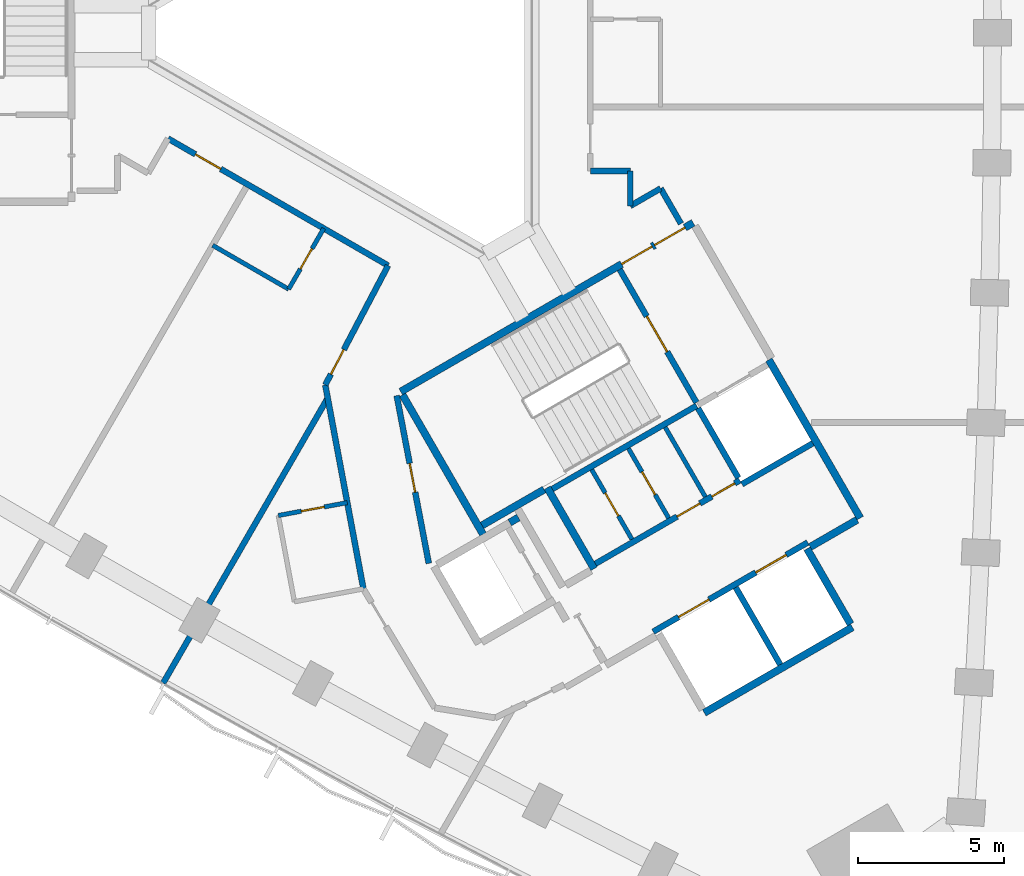
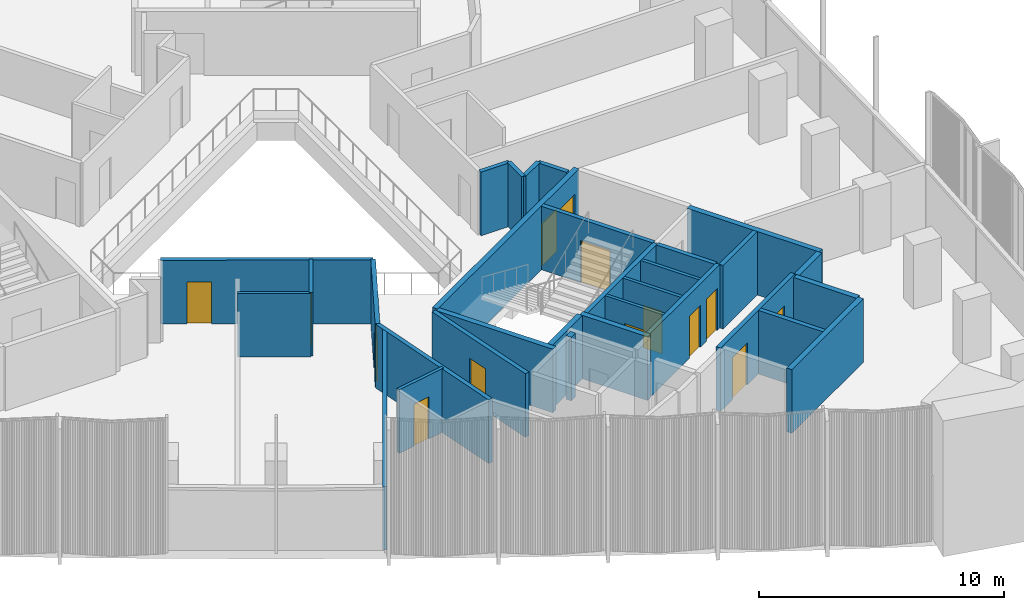
# One storey, part 8 of 15: 31 walls, 14 doors, 14 openings.
"""IFC4 building model written with IfcOpenShell, lengths in metres."""

from ifc_helpers import new_model, si_unit, direction, frame, frame_2d, origin, place, context, subcontext, project, spatial, rectangle, extrude, material, layer, layer_set, type_object, element, fill, save


model = new_model("IFC4")

# Units and contexts
model_context = context("Model", 3, precision=1e-05, world=origin(), true_north=direction((0.0, 1.0)))
body_context = subcontext(model_context, "Body", "Model", "MODEL_VIEW")
ifc_project = project(units=[si_unit("LENGTHUNIT", "METRE"), si_unit("AREAUNIT", "SQUARE_METRE"), si_unit("VOLUMEUNIT", "CUBIC_METRE"), si_unit("PLANEANGLEUNIT", "RADIAN"), si_unit("MASSUNIT", "GRAM", prefix="KILO")], contexts=[model_context])

# Site, building, storey
site_placement = place(None, origin())
site = spatial("IfcSite", under=ifc_project, at=site_placement, CompositionType="ELEMENT")
building_placement = place(site_placement, origin())
building = spatial("IfcBuilding", under=site, at=building_placement, Name="Tamra Quay Hotel Tower", CompositionType="ELEMENT")
storey_placement = place(building_placement, frame((0.0, 0.0, 90.199951171875)))
storey = spatial("IfcBuildingStorey", under=building, at=storey_placement, Name="L21", CompositionType="ELEMENT", Elevation=90.199951171875)

# Wall, openings, doors
ifc_material_1 = material(Name="Concrete M70", Category="concrete")
ifc_layer_1 = layer(ifc_material_1, 0.199951171875)
ifc_layer_set_1 = layer_set([ifc_layer_1], Name="Concrete M70 core wall 200")
wall_type_1 = type_object("IfcWallType", Name="Concrete M70 core wall 200", PredefinedType="SHEAR", material=ifc_layer_set_1)
wall_1_placement = place(storey_placement, frame((9.052490234375, -20.479736328125, 0.0), z_axis=(0.0, 0.0, 1.0), x_axis=(0.866030299012, 0.499991521122, 0.0)))
wall_1 = element("IfcWall", 1, at=wall_1_placement, inside=storey, type_object=wall_type_1, Name="CW2", PredefinedType="SHEAR", context=body_context, shape_type="SweptSolid", body=[
    extrude(rectangle(XDim=6.10009765625, YDim=0.199951171875, at=frame_2d((3.050048828125, 0.0))), origin(), (0.0, 0.0, 1.0), 3.175048828125),
])
opening_1_placement = place(wall_1_placement, frame((1.0, 0.0, 0.0)))
opening_1 = element("IfcOpeningElement", 2, at=opening_1_placement, cuts=wall_1, Name="Opening LD", PredefinedType="OPENING", context=body_context, shape_type="SweptSolid", body=[
    extrude(rectangle(XDim=1.199951171875, YDim=2.10009765625, at=frame_2d((0.60009765625, 1.050048828125))), frame((0.0, 0.10986328125, 0.0), z_axis=(0.0, -1.0, 0.0), x_axis=(1.0, 0.0, 0.0)), (0.0, 0.0, 1.0), 0.219970703125),
])
opening_2_placement = place(wall_1_placement, frame((4.05029296875, 0.0, 0.0)))
opening_2 = element("IfcOpeningElement", 3, at=opening_2_placement, cuts=wall_1, Name="Opening LD", PredefinedType="OPENING", context=body_context, shape_type="SweptSolid", body=[
    extrude(rectangle(XDim=1.199951171875, YDim=2.10009765625, at=frame_2d((0.60009765625, 1.050048828125))), frame((0.0, 0.10986328125, 0.0), z_axis=(0.0, -1.0, 0.0), x_axis=(1.0, 0.0, 0.0)), (0.0, 0.0, 1.0), 0.219970703125),
])
ifc_material_2 = material(Name="Landing door LD 1200 double door sliding")
door_type_1 = type_object("IfcDoorType", Name="Landing door LD 1200 double door sliding", OperationType="DOUBLE_DOOR_SLIDING", PredefinedType="DOOR", material=ifc_material_2)
door_1_placement = place(opening_1_placement, origin())
door_1 = element("IfcDoor", 4, at=door_1_placement, inside=storey, type_object=door_type_1, Name="LD", OperationType="DOUBLE_DOOR_SLIDING", OverallHeight=2.10009765625, OverallWidth=1.199951171875, PredefinedType="DOOR", context=body_context, shape_type="SweptSolid", body=[
    extrude(rectangle(XDim=1.199951171875, YDim=2.10009765625, at=frame_2d((0.60009765625, 1.050048828125))), frame((0.0, 0.02490234375, 0.0), z_axis=(0.0, -1.0, 0.0), x_axis=(1.0, 0.0, 0.0)), (0.0, 0.0, 1.0), 0.050048828125),
])
fill(opening_1, door_1)
door_2_placement = place(opening_2_placement, origin())
door_2 = element("IfcDoor", 5, at=door_2_placement, inside=storey, type_object=door_type_1, Name="LD", OperationType="DOUBLE_DOOR_SLIDING", OverallHeight=2.10009765625, OverallWidth=1.199951171875, PredefinedType="DOOR", context=body_context, shape_type="SweptSolid", body=[
    extrude(rectangle(XDim=1.199951171875, YDim=2.10009765625, at=frame_2d((0.60009765625, 1.050048828125))), frame((0.0, 0.02490234375, 0.0), z_axis=(0.0, -1.0, 0.0), x_axis=(1.0, 0.0, 0.0)), (0.0, 0.0, 1.0), 0.050048828125),
])
fill(opening_2, door_2)

# Wall
wall_2_placement = place(storey_placement, frame((10.537841796875, -12.751953125, 0.0), z_axis=(0.0, 0.0, 1.0), x_axis=(-0.866038630372, -0.499977090179, 0.0)))
element("IfcWall", 6, at=wall_2_placement, inside=storey, type_object=wall_type_1, Name="CW2", PredefinedType="SHEAR", context=body_context, shape_type="SweptSolid", body=[
    extrude(rectangle(XDim=5.698974609375, YDim=0.199951171875, at=frame_2d((2.849609375, 0.0))), origin(), (0.0, 0.0, 1.0), 3.175048828125),
])

# Wall, openings, doors
wall_3_placement = place(storey_placement, frame((7.0771484375, -18.156005859375, 0.0), z_axis=(0.0, 0.0, 1.0), x_axis=(0.866038630372, 0.499977090179, 0.0)))
wall_3 = element("IfcWall", 7, at=wall_3_placement, inside=storey, type_object=wall_type_1, Name="CW2", PredefinedType="SHEAR", context=body_context, shape_type="SweptSolid", body=[
    extrude(rectangle(XDim=5.698974609375, YDim=0.199951171875, at=frame_2d((2.849609375, 0.0))), origin(), (0.0, 0.0, 1.0), 3.175048828125),
])
opening_3_placement = place(wall_3_placement, frame((3.22412109375, 0.0, 0.0)))
opening_3 = element("IfcOpeningElement", 8, at=opening_3_placement, cuts=wall_3, Name="Opening D2", PredefinedType="OPENING", context=body_context, shape_type="SweptSolid", body=[
    extrude(rectangle(XDim=0.89990234375, YDim=2.10009765625, at=frame_2d((0.449951171875, 1.050048828125))), frame((0.0, 0.10986328125, 0.0), z_axis=(0.0, -1.0, 0.0), x_axis=(1.0, 0.0, 0.0)), (0.0, 0.0, 1.0), 0.219970703125),
])
opening_4_placement = place(wall_3_placement, frame((4.59912109375, 0.0, 0.0)))
opening_4 = element("IfcOpeningElement", 9, at=opening_4_placement, cuts=wall_3, Name="Opening D2", PredefinedType="OPENING", context=body_context, shape_type="SweptSolid", body=[
    extrude(rectangle(XDim=0.89990234375, YDim=2.10009765625, at=frame_2d((0.449951171875, 1.050048828125))), frame((0.0, 0.10986328125, 0.0), z_axis=(0.0, -1.0, 0.0), x_axis=(1.0, 0.0, 0.0)), (0.0, 0.0, 1.0), 0.219970703125),
])
ifc_material_3 = material(Name="Core door D2 900x2100 LH")
door_type_2 = type_object("IfcDoorType", Name="Core door D2 900x2100 LH", OperationType="NOTDEFINED", PredefinedType="DOOR", material=ifc_material_3)
door_3_placement = place(opening_4_placement, origin())
door_3 = element("IfcDoor", 10, at=door_3_placement, inside=storey, type_object=door_type_2, Name="D2", OperationType="SINGLE_SWING_LEFT", OverallHeight=2.10009765625, OverallWidth=0.89990234375, PredefinedType="DOOR", context=body_context, shape_type="SweptSolid", body=[
    extrude(rectangle(XDim=0.89990234375, YDim=2.10009765625, at=frame_2d((0.449951171875, 1.050048828125))), frame((0.0, 0.02490234375, 0.0), z_axis=(0.0, -1.0, 0.0), x_axis=(1.0, 0.0, 0.0)), (0.0, 0.0, 1.0), 0.050048828125),
])
fill(opening_4, door_3)
ifc_material_4 = material(Name="Core door D2 900x2100 RH")
door_type_3 = type_object("IfcDoorType", Name="Core door D2 900x2100 RH", OperationType="NOTDEFINED", PredefinedType="DOOR", material=ifc_material_4)
door_4_placement = place(opening_3_placement, origin())
door_4 = element("IfcDoor", 11, at=door_4_placement, inside=storey, type_object=door_type_3, Name="D2", OperationType="SINGLE_SWING_RIGHT", OverallHeight=2.10009765625, OverallWidth=0.89990234375, PredefinedType="DOOR", context=body_context, shape_type="SweptSolid", body=[
    extrude(rectangle(XDim=0.89990234375, YDim=2.10009765625, at=frame_2d((0.449951171875, 1.050048828125))), frame((0.0, 0.02490234375, 0.0), z_axis=(0.0, -1.0, 0.0), x_axis=(1.0, 0.0, 0.0)), (0.0, 0.0, 1.0), 0.050048828125),
])
fill(opening_3, door_4)

# Wall, opening, door
wall_4_placement = place(storey_placement, frame((7.906494140625, -8.094482421875, 0.0), z_axis=(0.0, 0.0, 1.0), x_axis=(0.500024287448, -0.866011380966, 0.0)))
wall_4 = element("IfcWall", 12, at=wall_4_placement, inside=storey, type_object=wall_type_1, Name="CW2", PredefinedType="SHEAR", context=body_context, shape_type="SweptSolid", body=[
    extrude(rectangle(XDim=5.251220703125, YDim=0.199951171875, at=frame_2d((2.62548828125, 0.0))), origin(), (0.0, 0.0, 1.0), 3.175048828125),
])
opening_5_placement = place(wall_4_placement, frame((1.84912109375, 0.0, 0.0)))
opening_5 = element("IfcOpeningElement", 13, at=opening_5_placement, cuts=wall_4, Name="Opening FD2", PredefinedType="OPENING", context=body_context, shape_type="SweptSolid", body=[
    extrude(rectangle(XDim=1.39990234375, YDim=2.10009765625, at=frame_2d((0.699951171875, 1.050048828125))), frame((0.0, 0.10986328125, 0.0), z_axis=(0.0, -1.0, 0.0), x_axis=(1.0, 0.0, 0.0)), (0.0, 0.0, 1.0), 0.219970703125),
])
ifc_material_5 = material(Name="Core door FD2 1400x2100 LH")
door_type_4 = type_object("IfcDoorType", Name="Core door FD2 1400x2100 LH", OperationType="NOTDEFINED", PredefinedType="DOOR", material=ifc_material_5)
door_5_placement = place(opening_5_placement, origin())
door_5 = element("IfcDoor", 14, at=door_5_placement, inside=storey, type_object=door_type_4, Name="FD2", OperationType="SINGLE_SWING_LEFT", OverallHeight=2.10009765625, OverallWidth=1.39990234375, PredefinedType="DOOR", context=body_context, shape_type="SweptSolid", body=[
    extrude(rectangle(XDim=1.39990234375, YDim=2.10009765625, at=frame_2d((0.699951171875, 1.050048828125))), frame((0.0, 0.02490234375, 0.0), z_axis=(0.0, -1.0, 0.0), x_axis=(1.0, 0.0, 0.0)), (0.0, 0.0, 1.0), 0.050048828125),
])
fill(opening_5, door_5)

# Walls
wall_5_placement = place(storey_placement, frame((11.87451171875, -18.967041015625, 0.0), z_axis=(0.0, 0.0, 1.0), x_axis=(0.49998131003, -0.866036194175, 0.0)))
element("IfcWall", 15, at=wall_5_placement, inside=storey, type_object=wall_type_1, Name="CW2", PredefinedType="SHEAR", context=body_context, shape_type="SweptSolid", body=[
    extrude(rectangle(XDim=3.0478515625, YDim=0.199951171875, at=frame_2d((1.52392578125, 0.0))), origin(), (0.0, 0.0, 1.0), 3.175048828125),
])
wall_6_placement = place(storey_placement, frame((11.962646484375, -15.219970703125, 0.0), z_axis=(0.0, 0.0, 1.0), x_axis=(-0.500034990121, 0.866005201286, 0.0)))
element("IfcWall", 16, at=wall_6_placement, inside=storey, type_object=wall_type_1, Name="CW2", PredefinedType="SHEAR", context=body_context, shape_type="SweptSolid", body=[
    extrude(rectangle(XDim=2.749755859375, YDim=0.199951171875, at=frame_2d((1.375, 0.0))), origin(), (0.0, 0.0, 1.0), 3.175048828125),
])
wall_7_placement = place(storey_placement, frame((14.51171875, -14.037109375, 0.0), z_axis=(0.0, 0.0, 1.0), x_axis=(-0.866044696403, -0.499966582715, 0.0)))
element("IfcWall", 17, at=wall_7_placement, inside=storey, type_object=wall_type_1, Name="CW2", PredefinedType="SHEAR", context=body_context, shape_type="SweptSolid", body=[
    extrude(rectangle(XDim=2.799072265625, YDim=0.199951171875, at=frame_2d((1.3994140625, 0.0))), origin(), (0.0, 0.0, 1.0), 3.175048828125),
])

# Wall, openings, doors
ifc_layer_2 = layer(ifc_material_1, 0.25)
ifc_layer_set_2 = layer_set([ifc_layer_2], Name="Concrete M70 core wall 250")
wall_type_2 = type_object("IfcWallType", Name="Concrete M70 core wall 250", PredefinedType="SHEAR", material=ifc_layer_set_2)
wall_8_placement = place(storey_placement, frame((0.417236328125, -12.27294921875, 0.0), z_axis=(0.0, 0.0, 1.0), x_axis=(0.866021906294, 0.500006057782, 0.0)))
wall_8 = element("IfcWall", 18, at=wall_8_placement, inside=storey, type_object=wall_type_2, Name="CW1", PredefinedType="SHEAR", context=body_context, shape_type="SweptSolid", body=[
    extrude(rectangle(XDim=11.550048828125, YDim=0.25, at=frame_2d((5.77490234375, 0.0))), origin(), (0.0, 0.0, 1.0), 3.175048828125),
])
opening_6_placement = place(wall_8_placement, frame((10.024658203125, 0.0, 0.0)))
opening_6 = element("IfcOpeningElement", 19, at=opening_6_placement, cuts=wall_8, Name="Opening FD1", PredefinedType="OPENING", context=body_context, shape_type="SweptSolid", body=[
    extrude(rectangle(XDim=1.199951171875, YDim=2.10009765625, at=frame_2d((0.60009765625, 1.050048828125))), frame((0.0, 0.135009765625, 0.0), z_axis=(0.0, -1.0, 0.0), x_axis=(1.0, 0.0, 0.0)), (0.0, 0.0, 1.0), 0.27001953125),
])
opening_7_placement = place(wall_8_placement, frame((8.724609375, 0.0, 0.0)))
opening_7 = element("IfcOpeningElement", 20, at=opening_7_placement, cuts=wall_8, Name="Opening FD1", PredefinedType="OPENING", context=body_context, shape_type="SweptSolid", body=[
    extrude(rectangle(XDim=1.199951171875, YDim=2.10009765625, at=frame_2d((0.60009765625, 1.050048828125))), frame((0.0, 0.135009765625, 0.0), z_axis=(0.0, -1.0, 0.0), x_axis=(1.0, 0.0, 0.0)), (0.0, 0.0, 1.0), 0.27001953125),
])
ifc_material_6 = material(Name="Core door FD1 1200x2100 LH")
door_type_5 = type_object("IfcDoorType", Name="Core door FD1 1200x2100 LH", OperationType="NOTDEFINED", PredefinedType="DOOR", material=ifc_material_6)
door_6_placement = place(opening_6_placement, origin())
door_6 = element("IfcDoor", 21, at=door_6_placement, inside=storey, type_object=door_type_5, Name="FD1", OperationType="SINGLE_SWING_LEFT", OverallHeight=2.10009765625, OverallWidth=1.199951171875, PredefinedType="DOOR", context=body_context, shape_type="SweptSolid", body=[
    extrude(rectangle(XDim=1.199951171875, YDim=2.10009765625, at=frame_2d((0.60009765625, 1.050048828125))), frame((0.0, 0.02490234375, 0.0), z_axis=(0.0, -1.0, 0.0), x_axis=(1.0, 0.0, 0.0)), (0.0, 0.0, 1.0), 0.050048828125),
])
fill(opening_6, door_6)
ifc_material_7 = material(Name="Core door FD1 1200x2100 RH")
door_type_6 = type_object("IfcDoorType", Name="Core door FD1 1200x2100 RH", OperationType="NOTDEFINED", PredefinedType="DOOR", material=ifc_material_7)
door_7_placement = place(opening_7_placement, origin())
door_7 = element("IfcDoor", 22, at=door_7_placement, inside=storey, type_object=door_type_6, Name="FD1", OperationType="SINGLE_SWING_RIGHT", OverallHeight=2.10009765625, OverallWidth=1.199951171875, PredefinedType="DOOR", context=body_context, shape_type="SweptSolid", body=[
    extrude(rectangle(XDim=1.199951171875, YDim=2.10009765625, at=frame_2d((0.60009765625, 1.050048828125))), frame((0.0, 0.02490234375, 0.0), z_axis=(0.0, -1.0, 0.0), x_axis=(1.0, 0.0, 0.0)), (0.0, 0.0, 1.0), 0.050048828125),
])
fill(opening_7, door_7)

# Walls
wall_9_placement = place(storey_placement, frame((13.00830078125, -11.18115234375, 0.0), z_axis=(0.0, 0.0, 1.0), x_axis=(0.500004234368, -0.866022959057, 0.0)))
element("IfcWall", 23, at=wall_9_placement, inside=storey, type_object=wall_type_2, Name="CW1", PredefinedType="SHEAR", context=body_context, shape_type="SweptSolid", body=[
    extrude(rectangle(XDim=6.25, YDim=0.25, at=frame_2d((3.125, 0.0))), origin(), (0.0, 0.0, 1.0), 3.175048828125),
])
wall_10_placement = place(storey_placement, frame((15.86474609375, -20.328369140625, 0.0), z_axis=(0.0, 0.0, 1.0), x_axis=(-0.86602852612, -0.499994591916, 0.0)))
element("IfcWall", 24, at=wall_10_placement, inside=storey, type_object=wall_type_2, Name="CW1", PredefinedType="SHEAR", context=body_context, shape_type="SweptSolid", body=[
    extrude(rectangle(XDim=5.85009765625, YDim=0.25, at=frame_2d((2.925048828125, 0.0))), origin(), (0.0, 0.0, 1.0), 3.175048828125),
])
wall_11_placement = place(storey_placement, frame((3.23486328125, -17.15283203125, 0.0), z_axis=(0.0, 0.0, 1.0), x_axis=(-0.500008851346, 0.866020293397, 0.0)))
element("IfcWall", 25, at=wall_11_placement, inside=storey, type_object=wall_type_2, Name="CW1", PredefinedType="SHEAR", context=body_context, shape_type="SweptSolid", body=[
    extrude(rectangle(XDim=5.509765625, YDim=0.25, at=frame_2d((2.7548828125, 0.0))), origin(), (0.0, 0.0, 1.0), 3.175048828125),
])
wall_12_placement = place(storey_placement, frame((7.030517578125, -18.327392578125, 0.0), z_axis=(0.0, 0.0, 1.0), x_axis=(-0.499971222258, 0.866042017984, 0.0)))
element("IfcWall", 26, at=wall_12_placement, inside=storey, type_object=wall_type_2, Name="CW1", PredefinedType="SHEAR", context=body_context, shape_type="SweptSolid", body=[
    extrude(rectangle(XDim=3.199951171875, YDim=0.25, at=frame_2d((1.60009765625, 0.0))), origin(), (0.0, 0.0, 1.0), 3.175048828125),
])
wall_13_placement = place(storey_placement, frame((14.314697265625, -17.643798828125, 0.0), z_axis=(0.0, 0.0, 1.0), x_axis=(0.500023226632, -0.866011993467, 0.0)))
element("IfcWall", 27, at=wall_13_placement, inside=storey, type_object=wall_type_2, Name="CW1", PredefinedType="SHEAR", context=body_context, shape_type="SweptSolid", body=[
    extrude(rectangle(XDim=2.974365234375, YDim=0.25, at=frame_2d((1.4873046875, 0.0))), origin(), (0.0, 0.0, 1.0), 3.175048828125),
])
wall_14_placement = place(storey_placement, frame((5.322021484375, -15.618896484375, 0.0), z_axis=(0.0, 0.0, 1.0), x_axis=(-0.866026229868, -0.499998569178, 0.0)))
element("IfcWall", 28, at=wall_14_placement, inside=storey, type_object=wall_type_2, Name="CW1", PredefinedType="SHEAR", context=body_context, shape_type="SweptSolid", body=[
    extrude(rectangle(XDim=2.44921875, YDim=0.25, at=frame_2d((1.224609375, 0.0))), origin(), (0.0, 0.0, 1.0), 3.175048828125),
])
wall_15_placement = place(storey_placement, frame((16.024658203125, -16.656494140625, 0.0), z_axis=(0.0, 0.0, 1.0), x_axis=(-0.866016279763, -0.500015802937, 0.0)))
element("IfcWall", 29, at=wall_15_placement, inside=storey, type_object=wall_type_2, Name="CW1", PredefinedType="SHEAR", context=body_context, shape_type="SweptSolid", body=[
    extrude(rectangle(XDim=1.84912109375, YDim=0.25, at=frame_2d((0.924560546875, 0.0))), origin(), (0.0, 0.0, 1.0), 3.175048828125),
])
wall_16_placement = place(storey_placement, frame((4.144775390625, -16.748779296875, 0.0), z_axis=(0.0, 0.0, 1.0), x_axis=(0.866185586049, 0.49972245349, 0.0)))
element("IfcWall", 30, at=wall_16_placement, inside=storey, type_object=wall_type_2, Name="CW1", PredefinedType="SHEAR", context=body_context, shape_type="SweptSolid", body=[
    extrude(rectangle(XDim=0.344482421875, YDim=0.25, at=frame_2d((0.17236328125, 0.0))), origin(), (0.0, 0.0, 1.0), 3.175048828125),
])

# Wall, opening, door
ifc_material_8 = material(Name="Blockwork", Category="masonry")
ifc_layer_3 = layer(ifc_material_8, 0.14990234375)
ifc_layer_set_3 = layer_set([ifc_layer_3], Name="Core partition block 150")
wall_type_3 = type_object("IfcWallType", Name="Core partition block 150", PredefinedType="PARTITIONING", material=ifc_layer_set_3)
wall_17_placement = place(storey_placement, frame((8.20654296875, -14.214111328125, 0.0), z_axis=(0.0, 0.0, 1.0), x_axis=(0.50002746344, -0.86600954718, 0.0)))
wall_17 = element("IfcWall", 31, at=wall_17_placement, inside=storey, type_object=wall_type_3, Name="CP1", PredefinedType="PARTITIONING", context=body_context, shape_type="SweptSolid", body=[
    extrude(rectangle(XDim=2.748291015625, YDim=0.14990234375, at=frame_2d((1.3740234375, 0.0))), origin(), (0.0, 0.0, 1.0), 3.175048828125),
])
opening_8_placement = place(wall_17_placement, frame((0.92431640625, 0.0, 0.0)))
opening_8 = element("IfcOpeningElement", 32, at=opening_8_placement, cuts=wall_17, Name="Opening D2", PredefinedType="OPENING", context=body_context, shape_type="SweptSolid", body=[
    extrude(rectangle(XDim=0.89990234375, YDim=2.10009765625, at=frame_2d((0.449951171875, 1.050048828125))), frame((0.0, 0.0849609375, 0.0), z_axis=(0.0, -1.0, 0.0), x_axis=(1.0, 0.0, 0.0)), (0.0, 0.0, 1.0), 0.169921875),
])
door_8_placement = place(opening_8_placement, origin())
door_8 = element("IfcDoor", 33, at=door_8_placement, inside=storey, type_object=door_type_2, Name="D2", OperationType="SINGLE_SWING_LEFT", OverallHeight=2.10009765625, OverallWidth=0.89990234375, PredefinedType="DOOR", context=body_context, shape_type="SweptSolid", body=[
    extrude(rectangle(XDim=0.89990234375, YDim=2.10009765625, at=frame_2d((0.449951171875, 1.050048828125))), frame((0.0, 0.02490234375, 0.0), z_axis=(0.0, -1.0, 0.0), x_axis=(1.0, 0.0, 0.0)), (0.0, 0.0, 1.0), 0.050048828125),
])
fill(opening_8, door_8)

# Wall
wall_18_placement = place(storey_placement, frame((9.46240234375, -13.489013671875, 0.0), z_axis=(0.0, 0.0, 1.0), x_axis=(0.499988999718, -0.866031754707, 0.0)))
element("IfcWall", 34, at=wall_18_placement, inside=storey, type_object=wall_type_3, Name="CP1", PredefinedType="PARTITIONING", context=body_context, shape_type="SweptSolid", body=[
    extrude(rectangle(XDim=2.74853515625, YDim=0.14990234375, at=frame_2d((1.374267578125, 0.0))), origin(), (0.0, 0.0, 1.0), 3.175048828125),
])

# Wall, opening, door
wall_19_placement = place(storey_placement, frame((6.950927734375, -14.93896484375, 0.0), z_axis=(0.0, 0.0, 1.0), x_axis=(0.499988999718, -0.866031754707, 0.0)))
wall_19 = element("IfcWall", 35, at=wall_19_placement, inside=storey, type_object=wall_type_3, Name="CP1", PredefinedType="PARTITIONING", context=body_context, shape_type="SweptSolid", body=[
    extrude(rectangle(XDim=2.74853515625, YDim=0.14990234375, at=frame_2d((1.374267578125, 0.0))), origin(), (0.0, 0.0, 1.0), 3.175048828125),
])
opening_9_placement = place(wall_19_placement, frame((0.92431640625, 0.0, 0.0)))
opening_9 = element("IfcOpeningElement", 36, at=opening_9_placement, cuts=wall_19, Name="Opening D2", PredefinedType="OPENING", context=body_context, shape_type="SweptSolid", body=[
    extrude(rectangle(XDim=0.89990234375, YDim=2.10009765625, at=frame_2d((0.449951171875, 1.050048828125))), frame((0.0, 0.0849609375, 0.0), z_axis=(0.0, -1.0, 0.0), x_axis=(1.0, 0.0, 0.0)), (0.0, 0.0, 1.0), 0.169921875),
])
door_9_placement = place(opening_9_placement, origin())
door_9 = element("IfcDoor", 37, at=door_9_placement, inside=storey, type_object=door_type_3, Name="D2", OperationType="SINGLE_SWING_RIGHT", OverallHeight=2.10009765625, OverallWidth=0.89990234375, PredefinedType="DOOR", context=body_context, shape_type="SweptSolid", body=[
    extrude(rectangle(XDim=0.89990234375, YDim=2.10009765625, at=frame_2d((0.449951171875, 1.050048828125))), frame((0.0, 0.02490234375, 0.0), z_axis=(0.0, -1.0, 0.0), x_axis=(1.0, 0.0, 0.0)), (0.0, 0.0, 1.0), 0.050048828125),
])
fill(opening_9, door_9)

ifc_material_9 = material(Name="Partition corridor wall")
ifc_layer_4 = layer(ifc_material_9, 0.199951171875)
ifc_layer_set_4 = layer_set([ifc_layer_4], Name="Partition corridor wall")
wall_type_4 = type_object("IfcWallType", Name="Partition corridor wall", PredefinedType="PARTITIONING", material=ifc_layer_set_4)
wall_20_placement = place(storey_placement, frame((-7.5390625, -3.614990234375, 0.0), z_axis=(0.0, 0.0, 1.0), x_axis=(0.866057854762, -0.499943789046, 0.0)))
wall_20 = element("IfcWall", 38, at=wall_20_placement, inside=storey, type_object=wall_type_4, Name="W-C", PredefinedType="PARTITIONING", context=body_context, shape_type="SweptSolid", body=[
    extrude(rectangle(XDim=8.68896484375, YDim=0.199951171875, at=frame_2d((4.344482421875, 0.0))), origin(), (0.0, 0.0, 1.0), 3.175048828125),
])
opening_10_placement = place(wall_20_placement, frame((1.080078125, 0.0, 0.0)))
opening_10 = element("IfcOpeningElement", 39, at=opening_10_placement, cuts=wall_20, Name="Opening L21-D013", PredefinedType="OPENING", context=body_context, shape_type="SweptSolid", body=[
    extrude(rectangle(XDim=1.0, YDim=2.10009765625, at=frame_2d((0.5, 1.050048828125))), frame((0.0, 0.10986328125, 0.0), z_axis=(0.0, -1.0, 0.0), x_axis=(1.0, 0.0, 0.0)), (0.0, 0.0, 1.0), 0.219970703125),
])
ifc_material_10 = material(Name="Door guest room 1000x2100")
door_type_7 = type_object("IfcDoorType", Name="Door guest room 1000x2100", OperationType="NOTDEFINED", PredefinedType="DOOR", material=ifc_material_10)
door_10_placement = place(opening_10_placement, frame((1.0, 0.0, 0.0), z_axis=(0.0, 0.0, 1.0), x_axis=(-1.0, 0.0, 0.0)))
door_10 = element("IfcDoor", 40, at=door_10_placement, inside=storey, type_object=door_type_7, Name="L21-D013", OperationType="SINGLE_SWING_LEFT", OverallHeight=2.10009765625, OverallWidth=1.0, PredefinedType="DOOR", context=body_context, shape_type="SweptSolid", body=[
    extrude(rectangle(XDim=1.0, YDim=2.10009765625, at=frame_2d((0.5, 1.050048828125))), frame((0.0, 0.02490234375, 0.0), z_axis=(0.0, -1.0, 0.0), x_axis=(1.0, 0.0, 0.0)), (0.0, 0.0, 1.0), 0.050048828125),
])
fill(opening_10, door_10)

# Wall
wall_21_placement = place(storey_placement, frame((-2.162109375, -12.0419921875, 0.0), z_axis=(0.0, 0.0, 1.0), x_axis=(0.183916574427, -0.982941856699, 0.0)))
element("IfcWall", 41, at=wall_21_placement, inside=storey, type_object=wall_type_4, Name="W-C", PredefinedType="PARTITIONING", context=body_context, shape_type="SweptSolid", body=[
    extrude(rectangle(XDim=7.093994140625, YDim=0.199951171875, at=frame_2d((3.546875, 0.0))), origin(), (0.0, 0.0, 1.0), 3.175048828125),
])

# Wall, opening, door
wall_22_placement = place(storey_placement, frame((-2.162109375, -12.041015625, 0.0), z_axis=(0.0, 0.0, 1.0), x_axis=(0.465704986205, 0.884940035157, 0.0)))
wall_22 = element("IfcWall", 42, at=wall_22_placement, inside=storey, type_object=wall_type_4, Name="W-C", PredefinedType="PARTITIONING", context=body_context, shape_type="SweptSolid", body=[
    extrude(rectangle(XDim=4.61279296875, YDim=0.199951171875, at=frame_2d((2.306396484375, 0.0))), origin(), (0.0, 0.0, 1.0), 3.175048828125),
])
opening_11_placement = place(wall_22_placement, frame((0.41259765625, 0.0, 0.0)))
opening_11 = element("IfcOpeningElement", 43, at=opening_11_placement, cuts=wall_22, Name="Opening L21-D014", PredefinedType="OPENING", context=body_context, shape_type="SweptSolid", body=[
    extrude(rectangle(XDim=0.949951171875, YDim=2.10009765625, at=frame_2d((0.47509765625, 1.050048828125))), frame((0.0, 0.10986328125, 0.0), z_axis=(0.0, -1.0, 0.0), x_axis=(1.0, 0.0, 0.0)), (0.0, 0.0, 1.0), 0.219970703125),
])
ifc_material_11 = material(Name="Door guest room 950x2100")
door_type_8 = type_object("IfcDoorType", Name="Door guest room 950x2100", OperationType="NOTDEFINED", PredefinedType="DOOR", material=ifc_material_11)
door_11_placement = place(opening_11_placement, origin())
door_11 = element("IfcDoor", 44, at=door_11_placement, inside=storey, type_object=door_type_8, Name="L21-D014", OperationType="SINGLE_SWING_LEFT", OverallHeight=2.10009765625, OverallWidth=0.949951171875, PredefinedType="DOOR", context=body_context, shape_type="SweptSolid", body=[
    extrude(rectangle(XDim=0.949951171875, YDim=2.10009765625, at=frame_2d((0.47509765625, 1.050048828125))), frame((0.0, 0.02490234375, 0.0), z_axis=(0.0, -1.0, 0.0), x_axis=(1.0, 0.0, 0.0)), (0.0, 0.0, 1.0), 0.050048828125),
])
fill(opening_11, door_11)

wall_23_placement = place(storey_placement, frame((0.28076171875, -12.40625, 0.0), z_axis=(0.0, 0.0, 1.0), x_axis=(0.187814940093, -0.982204433037, 0.0)))
wall_23 = element("IfcWall", 45, at=wall_23_placement, inside=storey, type_object=wall_type_4, Name="W-C", PredefinedType="PARTITIONING", context=body_context, shape_type="SweptSolid", body=[
    extrude(rectangle(XDim=5.841796875, YDim=0.199951171875, at=frame_2d((2.9208984375, 0.0))), origin(), (0.0, 0.0, 1.0), 3.175048828125),
])
opening_12_placement = place(wall_23_placement, frame((2.36328125, 0.0, 0.0)))
opening_12 = element("IfcOpeningElement", 46, at=opening_12_placement, cuts=wall_23, Name="Opening L21-D016", PredefinedType="OPENING", context=body_context, shape_type="SweptSolid", body=[
    extrude(rectangle(XDim=1.0, YDim=2.10009765625, at=frame_2d((0.5, 1.050048828125))), frame((0.0, 0.10986328125, 0.0), z_axis=(0.0, -1.0, 0.0), x_axis=(1.0, 0.0, 0.0)), (0.0, 0.0, 1.0), 0.219970703125),
])
door_12_placement = place(opening_12_placement, origin())
door_12 = element("IfcDoor", 47, at=door_12_placement, inside=storey, type_object=door_type_7, Name="L21-D016", OperationType="SINGLE_SWING_LEFT", OverallHeight=2.10009765625, OverallWidth=1.0, PredefinedType="DOOR", context=body_context, shape_type="SweptSolid", body=[
    extrude(rectangle(XDim=1.0, YDim=2.10009765625, at=frame_2d((0.5, 1.050048828125))), frame((0.0, 0.02490234375, 0.0), z_axis=(0.0, -1.0, 0.0), x_axis=(1.0, 0.0, 0.0)), (0.0, 0.0, 1.0), 0.050048828125),
])
fill(opening_12, door_12)

# Walls
wall_24_placement = place(storey_placement, frame((6.89990234375, -4.720947265625, 0.0), z_axis=(0.0, 0.0, 1.0), x_axis=(1.0, 0.0, 0.0)))
element("IfcWall", 48, at=wall_24_placement, inside=storey, type_object=wall_type_4, Name="W-C", PredefinedType="PARTITIONING", context=body_context, shape_type="SweptSolid", body=[
    extrude(rectangle(XDim=1.3681640625, YDim=0.199951171875, at=frame_2d((0.68408203125, 0.0))), origin(), (0.0, 0.0, 1.0), 3.175048828125),
])
wall_25_placement = place(storey_placement, frame((8.26806640625, -5.9208984375, 0.0), z_axis=(0.0, 0.0, 1.0), x_axis=(0.0, 1.0, 0.0)))
element("IfcWall", 49, at=wall_25_placement, inside=storey, type_object=wall_type_4, Name="W-C", PredefinedType="PARTITIONING", context=body_context, shape_type="SweptSolid", body=[
    extrude(rectangle(XDim=1.199951171875, YDim=0.199951171875, at=frame_2d((0.60009765625, 0.0))), origin(), (0.0, 0.0, 1.0), 3.175048828125),
])
wall_26_placement = place(storey_placement, frame((8.26806640625, -5.9208984375, 0.0), z_axis=(0.0, 0.0, 1.0), x_axis=(0.866344856625, 0.499446282797, 0.0)))
element("IfcWall", 50, at=wall_26_placement, inside=storey, type_object=wall_type_4, Name="W-C", PredefinedType="PARTITIONING", context=body_context, shape_type="SweptSolid", body=[
    extrude(rectangle(XDim=1.198974609375, YDim=0.199951171875, at=frame_2d((0.599609375, 0.0))), origin(), (0.0, 0.0, 1.0), 3.175048828125),
])
wall_27_placement = place(storey_placement, frame((9.306884765625, -5.322021484375, 0.0), z_axis=(0.0, 0.0, 1.0), x_axis=(0.500295157811, -0.865854927266, 0.0)))
element("IfcWall", 51, at=wall_27_placement, inside=storey, type_object=wall_type_4, Name="W-C", PredefinedType="PARTITIONING", context=body_context, shape_type="SweptSolid", body=[
    extrude(rectangle(XDim=1.389892578125, YDim=0.199951171875, at=frame_2d((0.69482421875, 0.0))), origin(), (0.0, 0.0, 1.0), 3.175048828125),
])
ifc_material_12 = material(Name="Partition en-suite wall")
ifc_layer_5 = layer(ifc_material_12, 0.14990234375)
ifc_layer_set_5 = layer_set([ifc_layer_5], Name="Partition en-suite wall")
wall_type_5 = type_object("IfcWallType", Name="Partition en-suite wall", PredefinedType="PARTITIONING", material=ifc_layer_set_5)
wall_28_placement = place(storey_placement, frame((-6.011962890625, -7.26708984375, 0.0), z_axis=(0.0, 0.0, 1.0), x_axis=(0.866010750942, -0.50002537861, 0.0)))
element("IfcWall", 52, at=wall_28_placement, inside=storey, type_object=wall_type_5, Name="W-E", PredefinedType="PARTITIONING", context=body_context, shape_type="SweptSolid", body=[
    extrude(rectangle(XDim=2.999755859375, YDim=0.14990234375, at=frame_2d((1.5, 0.0))), origin(), (0.0, 0.0, 1.0), 3.175048828125),
])

# Wall, opening, door
wall_29_placement = place(storey_placement, frame((-3.76806640625, -16.507080078125, 0.0), z_axis=(0.0, 0.0, 1.0), x_axis=(0.982960745934, 0.183815592249, 0.0)))
wall_29 = element("IfcWall", 53, at=wall_29_placement, inside=storey, type_object=wall_type_5, Name="W-E", PredefinedType="PARTITIONING", context=body_context, shape_type="SweptSolid", body=[
    extrude(rectangle(XDim=2.400146484375, YDim=0.14990234375, at=frame_2d((1.2001953125, 0.0))), origin(), (0.0, 0.0, 1.0), 3.175048828125),
])
opening_13_placement = place(wall_29_placement, frame((0.799560546875, 0.0, 0.0)))
opening_13 = element("IfcOpeningElement", 54, at=opening_13_placement, cuts=wall_29, Name="Opening L21-D018", PredefinedType="OPENING", context=body_context, shape_type="SweptSolid", body=[
    extrude(rectangle(XDim=0.800048828125, YDim=2.10009765625, at=frame_2d((0.39990234375, 1.050048828125))), frame((0.0, 0.0849609375, 0.0), z_axis=(0.0, -1.0, 0.0), x_axis=(1.0, 0.0, 0.0)), (0.0, 0.0, 1.0), 0.169921875),
])
ifc_material_13 = material(Name="Door en-suite 800x2100")
door_type_9 = type_object("IfcDoorType", Name="Door en-suite 800x2100", OperationType="NOTDEFINED", PredefinedType="DOOR", material=ifc_material_13)
door_13_placement = place(opening_13_placement, frame((0.800048828125, 0.0, 0.0), z_axis=(0.0, 0.0, 1.0), x_axis=(-1.0, 0.0, 0.0)))
door_13 = element("IfcDoor", 55, at=door_13_placement, inside=storey, type_object=door_type_9, Name="L21-D018", OperationType="SINGLE_SWING_LEFT", OverallHeight=2.10009765625, OverallWidth=0.800048828125, PredefinedType="DOOR", context=body_context, shape_type="SweptSolid", body=[
    extrude(rectangle(XDim=0.800048828125, YDim=2.10009765625, at=frame_2d((0.39990234375, 1.050048828125))), frame((0.0, 0.02490234375, 0.0), z_axis=(0.0, -1.0, 0.0), x_axis=(1.0, 0.0, 0.0)), (0.0, 0.0, 1.0), 0.050048828125),
])
fill(opening_13, door_13)

wall_30_placement = place(storey_placement, frame((-3.4140625, -8.76708984375, 0.0), z_axis=(0.0, 0.0, 1.0), x_axis=(0.500045362686, 0.865999212041, 0.0)))
wall_30 = element("IfcWall", 56, at=wall_30_placement, inside=storey, type_object=wall_type_5, Name="W-E", PredefinedType="PARTITIONING", context=body_context, shape_type="SweptSolid", body=[
    extrude(rectangle(XDim=2.399658203125, YDim=0.14990234375, at=frame_2d((1.19970703125, 0.0))), origin(), (0.0, 0.0, 1.0), 3.175048828125),
])
opening_14_placement = place(wall_30_placement, frame((0.7998046875, 0.0, 0.0)))
opening_14 = element("IfcOpeningElement", 57, at=opening_14_placement, cuts=wall_30, Name="Opening L21-D015", PredefinedType="OPENING", context=body_context, shape_type="SweptSolid", body=[
    extrude(rectangle(XDim=0.800048828125, YDim=2.10009765625, at=frame_2d((0.39990234375, 1.050048828125))), frame((0.0, 0.0849609375, 0.0), z_axis=(0.0, -1.0, 0.0), x_axis=(1.0, 0.0, 0.0)), (0.0, 0.0, 1.0), 0.169921875),
])
door_14_placement = place(opening_14_placement, frame((0.800048828125, 0.0, 0.0), z_axis=(0.0, 0.0, 1.0), x_axis=(-1.0, 0.0, 0.0)))
door_14 = element("IfcDoor", 58, at=door_14_placement, inside=storey, type_object=door_type_9, Name="L21-D015", OperationType="SINGLE_SWING_LEFT", OverallHeight=2.10009765625, OverallWidth=0.800048828125, PredefinedType="DOOR", context=body_context, shape_type="SweptSolid", body=[
    extrude(rectangle(XDim=0.800048828125, YDim=2.10009765625, at=frame_2d((0.39990234375, 1.050048828125))), frame((0.0, 0.02490234375, 0.0), z_axis=(0.0, -1.0, 0.0), x_axis=(1.0, 0.0, 0.0)), (0.0, 0.0, 1.0), 0.050048828125),
])
fill(opening_14, door_14)

# Wall
ifc_material_14 = material(Name="Partition party wall")
ifc_layer_6 = layer(ifc_material_14, 0.199951171875)
ifc_layer_set_6 = layer_set([ifc_layer_6], Name="Partition party wall")
wall_type_6 = type_object("IfcWallType", Name="Partition party wall", PredefinedType="PARTITIONING", material=ifc_layer_set_6)
wall_31_placement = place(storey_placement, frame((-7.707763671875, -22.240234375, 0.0), z_axis=(0.0, 0.0, 1.0), x_axis=(0.500000860229, 0.86602490713, 0.0)))
element("IfcWall", 59, at=wall_31_placement, inside=storey, type_object=wall_type_6, Name="W-P", PredefinedType="PARTITIONING", context=body_context, shape_type="SweptSolid", body=[
    extrude(rectangle(XDim=11.259765625, YDim=0.199951171875, at=frame_2d((5.6298828125, 0.0))), origin(), (0.0, 0.0, 1.0), 3.175048828125),
])

save(model, "model.ifc")
